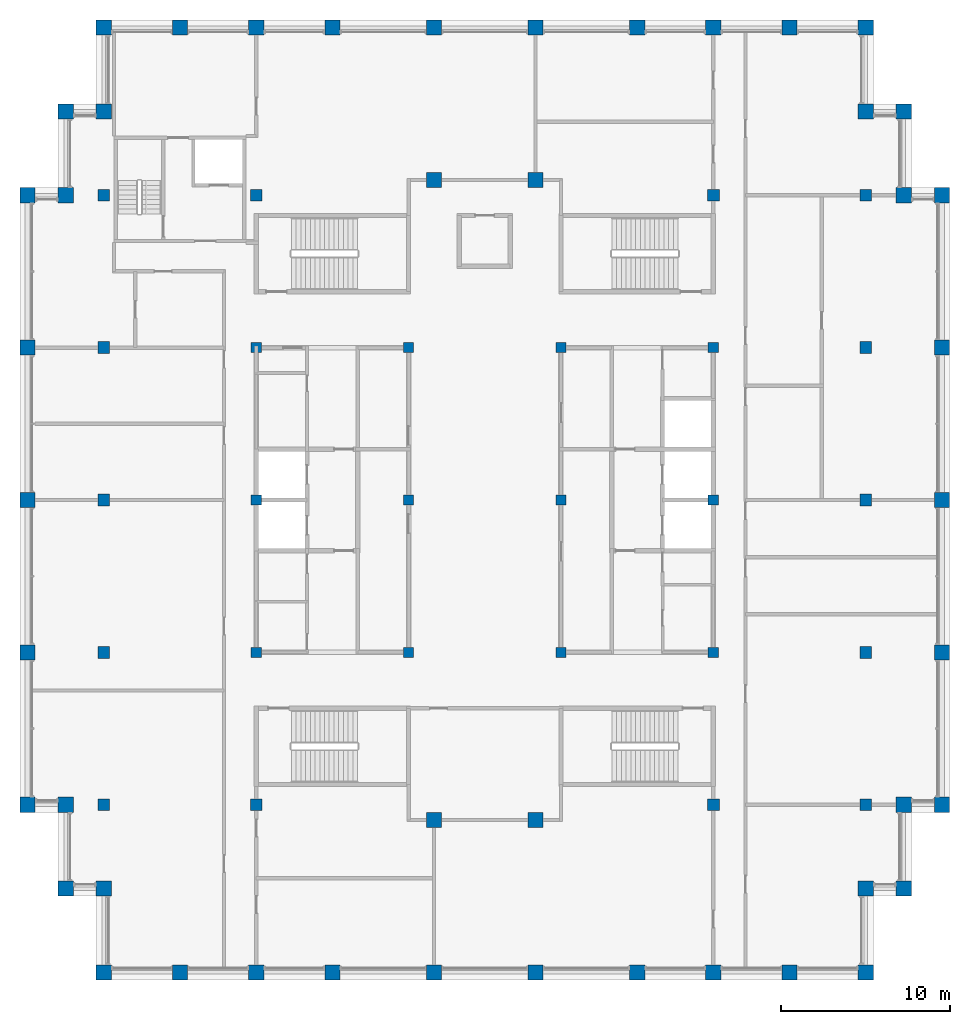
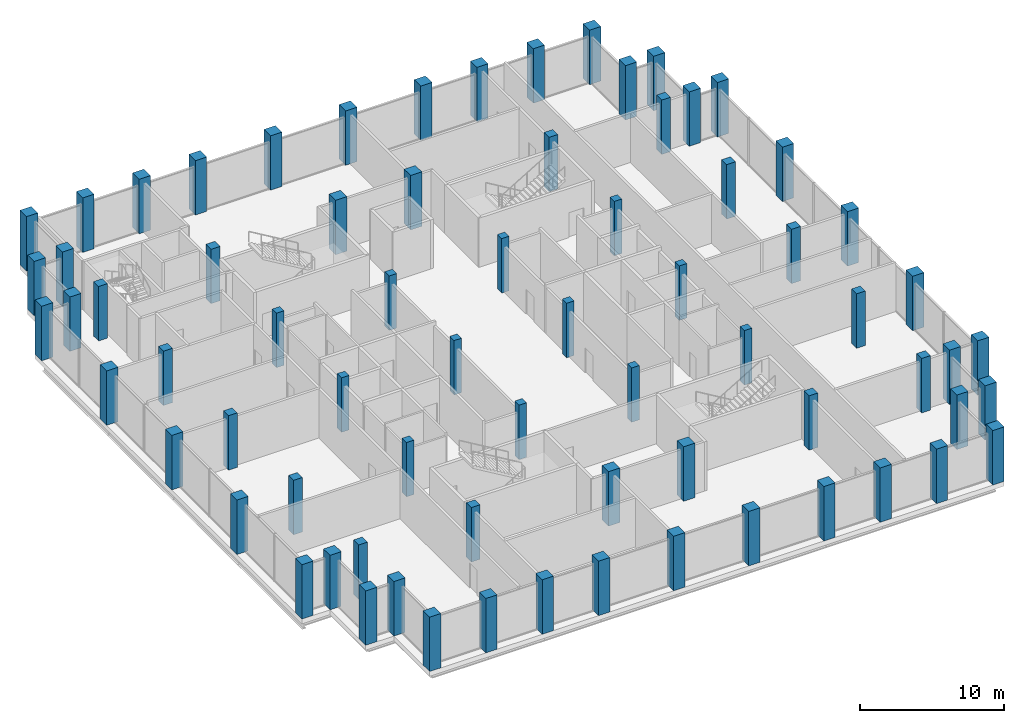
# One storey, part 1 of 13: 72 columns.
"""IFC4 building model written with IfcOpenShell, lengths in metres."""

from ifc_helpers import new_model, si_unit, direction, frame, origin, origin_2d, place, context, subcontext, project, spatial, rectangle, extrude, material, material_profile, profile_set, type_object, element, save


model = new_model("IFC4")

# Units and contexts
model_context = context("Model", 3, precision=1e-05, world=origin(), true_north=direction((0.0, 1.0)))
body_context = subcontext(model_context, "Body", "Model", "MODEL_VIEW")
ifc_project = project(units=[si_unit("LENGTHUNIT", "METRE"), si_unit("AREAUNIT", "SQUARE_METRE"), si_unit("VOLUMEUNIT", "CUBIC_METRE"), si_unit("PLANEANGLEUNIT", "RADIAN"), si_unit("MASSUNIT", "GRAM", prefix="KILO")], contexts=[model_context])

# Site, building, storey
site_placement = place(None, origin())
site = spatial("IfcSite", under=ifc_project, at=site_placement, CompositionType="ELEMENT")
building_placement = place(site_placement, origin())
building = spatial("IfcBuilding", under=site, at=building_placement, Name="Corbelhall Arena Tower", CompositionType="ELEMENT")
storey_placement = place(building_placement, frame((0.0, 0.0, 361.0)))
storey = spatial("IfcBuildingStorey", under=building, at=storey_placement, Name="L79", CompositionType="ELEMENT", Elevation=361.0)

# Columns
ifc_material = material(Name="Concrete C80/95", Category="concrete")
ifc_material_profile_1 = material_profile(ifc_material, rectangle(XDim=0.60009765625, YDim=0.60009765625, at=origin_2d()))
ifc_profile_set_1 = profile_set([ifc_material_profile_1], Name="Concrete C80/95")
column_type_1 = type_object("IfcColumnType", Name="ST-COL-RC 600x600", PredefinedType="COLUMN", material=ifc_profile_set_1)
for number, where, z_axis, x_axis, name in (
    (1, (4.5, 0.0, 0.0), (0.0, 0.0, 1.0), (1.0, 0.0, 0.0), "Column KE+0450+0000"),
    (2, (4.5, 9.0, 0.0), (0.0, 0.0, 1.0), (1.0, 0.0, 0.0), "Column KE+0450+0900"),
    (3, (4.5, -9.0, 0.0), (0.0, 0.0, 1.0), (1.0, 0.0, 0.0), "Column KE+0450-0900"),
    (4, (13.5, 0.0, 0.0), (0.0, 0.0, 1.0), (1.0, 0.0, 0.0), "Column KE+1350+0000"),
    (5, (13.5, 9.0, 0.0), (0.0, 0.0, 1.0), (1.0, 0.0, 0.0), "Column KE+1350+0900"),
    (6, (13.5, -9.0, 0.0), (0.0, 0.0, 1.0), (1.0, 0.0, 0.0), "Column KE+1350-0900"),
    (7, (-4.5, 0.0, 0.0), (0.0, 0.0, 1.0), (1.0, 0.0, 0.0), "Column KW-0450+0000"),
    (8, (-4.5, 9.0, 0.0), (0.0, 0.0, 1.0), (1.0, 0.0, 0.0), "Column KW-0450+0900"),
    (9, (-4.5, -9.0, 0.0), (0.0, 0.0, 1.0), (1.0, 0.0, 0.0), "Column KW-0450-0900"),
    (10, (-13.5, 0.0, 0.0), (0.0, 0.0, 1.0), (1.0, 0.0, 0.0), "Column KW-1350+0000"),
    (11, (-13.5, 9.0, 0.0), (0.0, 0.0, 1.0), (1.0, 0.0, 0.0), "Column KW-1350+0900"),
    (12, (-13.5, -9.0, 0.0), (0.0, 0.0, 1.0), (1.0, 0.0, 0.0), "Column KW-1350-0900"),
):
    element("IfcColumn", number, at=place(storey_placement, frame(where, z_axis=z_axis, x_axis=x_axis)), inside=storey, type_object=column_type_1, Name=name, PredefinedType="COLUMN", context=body_context, shape_type="SweptSolid", body=[
        extrude(rectangle(XDim=0.60009765625, YDim=0.60009765625, at=origin_2d()), origin(), (0.0, 0.0, 1.0), 4.599609375),
    ])
ifc_material_profile_2 = material_profile(ifc_material, rectangle(XDim=0.699951171875, YDim=0.699951171875, at=origin_2d()))
ifc_profile_set_2 = profile_set([ifc_material_profile_2], Name="Concrete C80/95")
column_type_2 = type_object("IfcColumnType", Name="ST-COL-RC 700x700", PredefinedType="COLUMN", material=ifc_profile_set_2)
for number, where, z_axis, x_axis, name in (
    (13, (13.5, 18.0, 0.0), (0.0, 0.0, 1.0), (1.0, 0.0, 0.0), "Column IE13+1800"),
    (14, (13.5, -18.0, 0.0), (0.0, 0.0, 1.0), (1.0, 0.0, 0.0), "Column IE13-1800"),
    (15, (22.5, 0.0, 0.0), (0.0, 0.0, 1.0), (1.0, 0.0, 0.0), "Column IE22+0000"),
    (16, (22.5, 9.0, 0.0), (0.0, 0.0, 1.0), (1.0, 0.0, 0.0), "Column IE22+0900"),
    (17, (22.5, 18.0, 0.0), (0.0, 0.0, 1.0), (1.0, 0.0, 0.0), "Column IE22+1800"),
    (18, (22.5, -9.0, 0.0), (0.0, 0.0, 1.0), (1.0, 0.0, 0.0), "Column IE22-0900"),
    (19, (22.5, -18.0, 0.0), (0.0, 0.0, 1.0), (1.0, 0.0, 0.0), "Column IE22-1800"),
    (20, (-13.5, 18.0, 0.0), (0.0, 0.0, 1.0), (1.0, 0.0, 0.0), "Column IW13+1800"),
    (21, (-13.5, -18.0, 0.0), (0.0, 0.0, 1.0), (1.0, 0.0, 0.0), "Column IW13-1800"),
    (22, (-22.5, 0.0, 0.0), (0.0, 0.0, 1.0), (1.0, 0.0, 0.0), "Column IW22+0000"),
    (23, (-22.5, 9.0, 0.0), (0.0, 0.0, 1.0), (1.0, 0.0, 0.0), "Column IW22+0900"),
    (24, (-22.5, 18.0, 0.0), (0.0, 0.0, 1.0), (1.0, 0.0, 0.0), "Column IW22+1800"),
    (25, (-22.5, -9.0, 0.0), (0.0, 0.0, 1.0), (1.0, 0.0, 0.0), "Column IW22-0900"),
    (26, (-22.5, -18.0, 0.0), (0.0, 0.0, 1.0), (1.0, 0.0, 0.0), "Column IW22-1800"),
):
    element("IfcColumn", number, at=place(storey_placement, frame(where, z_axis=z_axis, x_axis=x_axis)), inside=storey, type_object=column_type_2, Name=name, PredefinedType="COLUMN", context=body_context, shape_type="SweptSolid", body=[
        extrude(rectangle(XDim=0.699951171875, YDim=0.699951171875, at=origin_2d()), origin(), (0.0, 0.0, 1.0), 4.599609375),
    ])
ifc_material_profile_3 = material_profile(ifc_material, rectangle(XDim=0.89990234375, YDim=0.89990234375, at=origin_2d()))
ifc_profile_set_3 = profile_set([ifc_material_profile_3], Name="Concrete C80/95")
column_type_3 = type_object("IfcColumnType", Name="ST-COL-RC 900x900", PredefinedType="COLUMN", material=ifc_profile_set_3)
for number, where, z_axis, x_axis, name in (
    (27, (27.0, 0.0, 0.0), (0.0, 0.0, 1.0), (0.0, 1.0, 0.0), "Column PE+0000"),
    (28, (27.0, 9.0, 0.0), (0.0, 0.0, 1.0), (0.0, 1.0, 0.0), "Column PE+0900"),
    (29, (27.0, 18.0, 0.0), (0.0, 0.0, 1.0), (0.0, 1.0, 0.0), "Column PE+1800"),
    (30, (27.0, -9.0, 0.0), (0.0, 0.0, 1.0), (0.0, 1.0, 0.0), "Column PE-0900"),
    (31, (27.0, -18.0, 0.0), (0.0, 0.0, 1.0), (0.0, 1.0, 0.0), "Column PE-1800"),
    (32, (3.0, 27.89990234375, 0.0), (0.0, 0.0, 1.0), (1.0, 0.0, 0.0), "Column PNE0300"),
    (33, (9.0, 27.89990234375, 0.0), (0.0, 0.0, 1.0), (1.0, 0.0, 0.0), "Column PNE0900"),
    (34, (13.5, 27.89990234375, 0.0), (0.0, 0.0, 1.0), (1.0, 0.0, 0.0), "Column PNE1350"),
    (35, (18.0, 27.89990234375, 0.0), (0.0, 0.0, 1.0), (1.0, 0.0, 0.0), "Column PNE1800"),
    (36, (22.5, 27.89990234375, 0.0), (0.0, 0.0, 1.0), (1.0, 0.0, 0.0), "Column PNE2250"),
    (37, (-3.0, 27.89990234375, 0.0), (0.0, 0.0, 1.0), (1.0, 0.0, 0.0), "Column PNW0300"),
    (38, (-9.0, 27.89990234375, 0.0), (0.0, 0.0, 1.0), (1.0, 0.0, 0.0), "Column PNW0900"),
    (39, (-13.5, 27.89990234375, 0.0), (0.0, 0.0, 1.0), (1.0, 0.0, 0.0), "Column PNW1350"),
    (40, (-18.0, 27.89990234375, 0.0), (0.0, 0.0, 1.0), (1.0, 0.0, 0.0), "Column PNW1800"),
    (41, (-22.5, 27.89990234375, 0.0), (0.0, 0.0, 1.0), (1.0, 0.0, 0.0), "Column PNW2250"),
    (42, (3.0, -27.89990234375, 0.0), (0.0, 0.0, 1.0), (1.0, 0.0, 0.0), "Column PSE0300"),
    (43, (9.0, -27.89990234375, 0.0), (0.0, 0.0, 1.0), (1.0, 0.0, 0.0), "Column PSE0900"),
    (44, (13.5, -27.89990234375, 0.0), (0.0, 0.0, 1.0), (1.0, 0.0, 0.0), "Column PSE1350"),
    (45, (18.0, -27.89990234375, 0.0), (0.0, 0.0, 1.0), (1.0, 0.0, 0.0), "Column PSE1800"),
    (46, (22.5, -27.89990234375, 0.0), (0.0, 0.0, 1.0), (1.0, 0.0, 0.0), "Column PSE2250"),
    (47, (-3.0, -27.89990234375, 0.0), (0.0, 0.0, 1.0), (1.0, 0.0, 0.0), "Column PSW0300"),
    (48, (-9.0, -27.89990234375, 0.0), (0.0, 0.0, 1.0), (1.0, 0.0, 0.0), "Column PSW0900"),
    (49, (-13.5, -27.89990234375, 0.0), (0.0, 0.0, 1.0), (1.0, 0.0, 0.0), "Column PSW1350"),
    (50, (-18.0, -27.89990234375, 0.0), (0.0, 0.0, 1.0), (1.0, 0.0, 0.0), "Column PSW1800"),
    (51, (-22.5, -27.89990234375, 0.0), (0.0, 0.0, 1.0), (1.0, 0.0, 0.0), "Column PSW2250"),
    (52, (-27.0, 0.0, 0.0), (0.0, 0.0, 1.0), (0.0, 1.0, 0.0), "Column PW+0000"),
    (53, (-27.0, 9.0, 0.0), (0.0, 0.0, 1.0), (0.0, 1.0, 0.0), "Column PW+0900"),
    (54, (-27.0, 18.0, 0.0), (0.0, 0.0, 1.0), (0.0, 1.0, 0.0), "Column PW+1800"),
    (55, (-27.0, -9.0, 0.0), (0.0, 0.0, 1.0), (0.0, 1.0, 0.0), "Column PW-0900"),
    (56, (-27.0, -18.0, 0.0), (0.0, 0.0, 1.0), (0.0, 1.0, 0.0), "Column PW-1800"),
    (57, (3.0, 18.89990234375, 0.0), (0.0, 0.0, 1.0), (1.0, 0.0, 0.0), "Column SLNE2"),
    (58, (-3.0, 18.89990234375, 0.0), (0.0, 0.0, 1.0), (1.0, 0.0, 0.0), "Column SLNW2"),
    (59, (3.0, -18.89990234375, 0.0), (0.0, 0.0, 1.0), (1.0, 0.0, 0.0), "Column SLSE2"),
    (60, (-3.0, -18.89990234375, 0.0), (0.0, 0.0, 1.0), (1.0, 0.0, 0.0), "Column SLSW2"),
    (61, (22.5, 22.949951171875, 0.0), (0.0, 0.0, 1.0), (1.0, 0.0, 0.0), "Column XNE1"),
    (62, (24.75, 22.949951171875, 0.0), (0.0, 0.0, 1.0), (1.0, 0.0, 0.0), "Column XNE2"),
    (63, (24.75, 18.0, 0.0), (0.0, 0.0, 1.0), (1.0, 0.0, 0.0), "Column XNE3"),
    (64, (-22.5, 22.949951171875, 0.0), (0.0, 0.0, 1.0), (1.0, 0.0, 0.0), "Column XNW1"),
    (65, (-24.75, 22.949951171875, 0.0), (0.0, 0.0, 1.0), (1.0, 0.0, 0.0), "Column XNW2"),
    (66, (-24.75, 18.0, 0.0), (0.0, 0.0, 1.0), (1.0, 0.0, 0.0), "Column XNW3"),
    (67, (22.5, -22.949951171875, 0.0), (0.0, 0.0, 1.0), (1.0, 0.0, 0.0), "Column XSE1"),
    (68, (24.75, -22.949951171875, 0.0), (0.0, 0.0, 1.0), (1.0, 0.0, 0.0), "Column XSE2"),
    (69, (24.75, -18.0, 0.0), (0.0, 0.0, 1.0), (1.0, 0.0, 0.0), "Column XSE3"),
    (70, (-22.5, -22.949951171875, 0.0), (0.0, 0.0, 1.0), (1.0, 0.0, 0.0), "Column XSW1"),
    (71, (-24.75, -22.949951171875, 0.0), (0.0, 0.0, 1.0), (1.0, 0.0, 0.0), "Column XSW2"),
    (72, (-24.75, -18.0, 0.0), (0.0, 0.0, 1.0), (1.0, 0.0, 0.0), "Column XSW3"),
):
    element("IfcColumn", number, at=place(storey_placement, frame(where, z_axis=z_axis, x_axis=x_axis)), inside=storey, type_object=column_type_3, Name=name, PredefinedType="COLUMN", context=body_context, shape_type="SweptSolid", body=[
        extrude(rectangle(XDim=0.89990234375, YDim=0.89990234375, at=origin_2d()), origin(), (0.0, 0.0, 1.0), 4.599609375),
    ])

save(model, "model.ifc")
